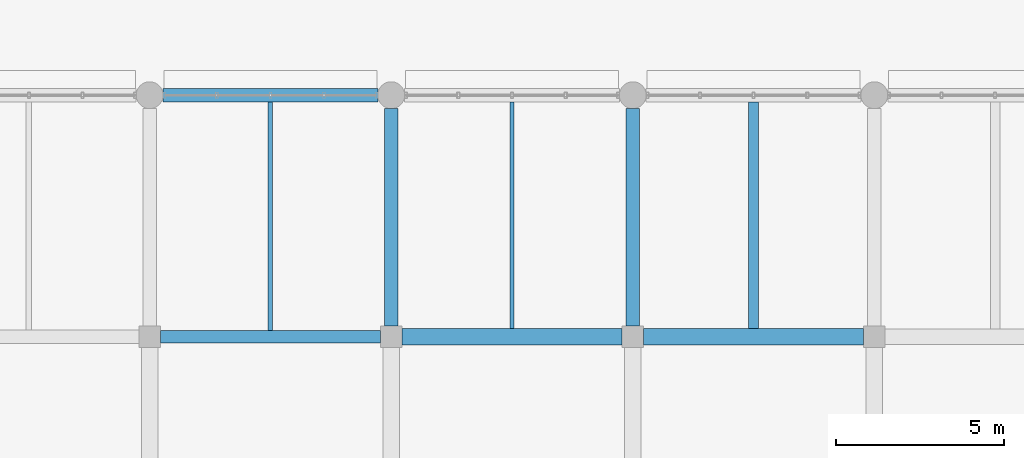
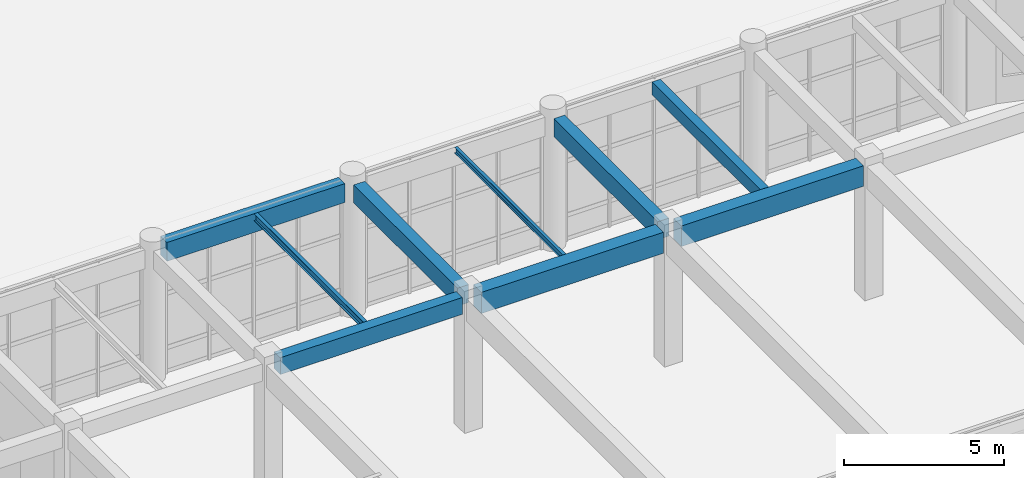
# One storey, part 68 of 160: 9 beams.
"""IFC4 building model written with IfcOpenShell, lengths in metres."""

from ifc_helpers import new_model, si_unit, direction, frame, origin, origin_2d, place, context, subcontext, project, spatial, rectangle, i_section, extrude, material, material_profile, profile_set, type_object, element, save


model = new_model("IFC4")

# Units and contexts
model_context = context("Model", 3, precision=1e-05, world=origin(), true_north=direction((0.0, 1.0)))
body_context = subcontext(model_context, "Body", "Model", "MODEL_VIEW")
ifc_project = project(units=[si_unit("LENGTHUNIT", "METRE"), si_unit("AREAUNIT", "SQUARE_METRE"), si_unit("VOLUMEUNIT", "CUBIC_METRE"), si_unit("PLANEANGLEUNIT", "RADIAN"), si_unit("MASSUNIT", "GRAM", prefix="KILO")], contexts=[model_context])

# Site, building, storey
site_placement = place(None, origin())
site = spatial("IfcSite", under=ifc_project, at=site_placement, CompositionType="ELEMENT")
building_placement = place(site_placement, origin())
building = spatial("IfcBuilding", under=site, at=building_placement, Name="Thalmaran Polytechnic", CompositionType="ELEMENT")
storey_placement = place(building_placement, origin())
storey = spatial("IfcBuildingStorey", under=building, at=storey_placement, Name="L00", CompositionType="ELEMENT", Elevation=0.0)

# Beams
ifc_material_1 = material(Name="Concrete C40/50", Category="concrete")
ifc_material_profile_1 = material_profile(ifc_material_1, rectangle(XDim=0.5, YDim=0.800048828125, at=origin_2d()), Name="RC 500x800")
ifc_profile_set_1 = profile_set([ifc_material_profile_1], Name="Concrete C40/50")
beam_type_1 = type_object("IfcBeamType", Name="BM-RC02", PredefinedType="BEAM", material=ifc_profile_set_1)
beam_1_placement = place(storey_placement, frame((65.125, 64.800048828125, 4.68994140625), z_axis=(1.0, 0.0, 0.0), x_axis=(0.0, 1.0, 0.0)))
element("IfcBeam", 1, at=beam_1_placement, inside=storey, type_object=beam_type_1, Name="Grid Beam B02 L00 X(9,9)", PredefinedType="BEAM", context=body_context, shape_type="SweptSolid", body=[
    extrude(rectangle(XDim=0.5, YDim=0.800048828125, at=origin_2d()), origin(), (0.0, 0.0, 1.0), 6.550048828125),
])
ifc_material_profile_2 = material_profile(ifc_material_1, rectangle(XDim=0.300048828125, YDim=0.5, at=origin_2d()), Name="RC 300x500")
ifc_profile_set_2 = profile_set([ifc_material_profile_2], Name="Concrete C40/50")
beam_type_2 = type_object("IfcBeamType", Name="BM-RC11", PredefinedType="JOIST", material=ifc_profile_set_2)
beam_2_placement = place(storey_placement, frame((75.60009765625, 65.0400390625, 4.840087890625), z_axis=(0.0, 1.0, 0.0), x_axis=(-1.0, 0.0, 0.0)))
element("IfcBeam", 2, at=beam_2_placement, inside=storey, type_object=beam_type_2, Name="Secondary Floor Rib RB01 L00 (10,9)", PredefinedType="JOIST", context=body_context, shape_type="SweptSolid", body=[
    extrude(rectangle(XDim=0.300048828125, YDim=0.5, at=origin_2d()), origin(), (0.0, 0.0, 1.0), 6.760009765625),
])
ifc_material_2 = material(Name="Steel S355", Category="steel")
ifc_material_profile_3 = material_profile(ifc_material_2, i_section(OverallWidth=0.135009765625, OverallDepth=0.27001953125, WebThickness=0.006591796875, FlangeThickness=0.01025390625, at=origin_2d()), Name="IPE 270")
ifc_profile_set_3 = profile_set([ifc_material_profile_3], Name="Steel S355")
beam_type_3 = type_object("IfcBeamType", Name="BM-SJ03", PredefinedType="JOIST", material=ifc_profile_set_3)
beam_3_placement = place(storey_placement, frame((61.199951171875, 64.989990234375, 4.955078125), z_axis=(0.0, 1.0, 0.0), x_axis=(-1.0, 0.0, 0.0)))
element("IfcBeam", 3, at=beam_3_placement, inside=storey, type_object=beam_type_3, Name="Secondary Floor Rib SJ03 L00 (8,9)", PredefinedType="JOIST", context=body_context, shape_type="SweptSolid", body=[
    extrude(i_section(OverallWidth=0.135009765625, OverallDepth=0.27001953125, WebThickness=0.006591796875, FlangeThickness=0.01025390625, at=origin_2d()), origin(), (0.0, 0.0, 1.0), 6.81005859375),
])
ifc_material_profile_4 = material_profile(ifc_material_2, i_section(OverallWidth=0.110107421875, OverallDepth=0.219970703125, WebThickness=0.005859375, FlangeThickness=0.00927734375, at=origin_2d()), Name="IPE 220")
ifc_profile_set_4 = profile_set([ifc_material_profile_4], Name="Steel S355")
beam_type_4 = type_object("IfcBeamType", Name="BM-SJ04", PredefinedType="JOIST", material=ifc_profile_set_4)
beam_4_placement = place(storey_placement, frame((68.39990234375, 65.050048828125, 4.97998046875), z_axis=(0.0, 1.0, 0.0), x_axis=(-1.0, 0.0, 0.0)))
element("IfcBeam", 4, at=beam_4_placement, inside=storey, type_object=beam_type_4, Name="Secondary Floor Rib SJ04 L00 (9,9)", PredefinedType="JOIST", context=body_context, shape_type="SweptSolid", body=[
    extrude(i_section(OverallWidth=0.110107421875, OverallDepth=0.219970703125, WebThickness=0.005859375, FlangeThickness=0.00927734375, at=origin_2d()), origin(), (0.0, 0.0, 1.0), 6.75),
])
ifc_material_profile_5 = material_profile(ifc_material_1, rectangle(XDim=0.39990234375, YDim=0.719970703125, at=origin_2d()), Name="RC 400x720")
ifc_profile_set_5 = profile_set([ifc_material_profile_5], Name="Concrete C40/50")
beam_type_5 = type_object("IfcBeamType", Name="BM-SP01", PredefinedType="SPANDREL", material=ifc_profile_set_5)
beam_5_placement = place(storey_placement, frame((58.0, 72.0, 4.72998046875), z_axis=(1.0, 0.0, 0.0), x_axis=(0.0, 1.0, 0.0)))
element("IfcBeam", 5, at=beam_5_placement, inside=storey, type_object=beam_type_5, Name="Grid Beam SP01 L00 X(8,10)", PredefinedType="SPANDREL", context=body_context, shape_type="SweptSolid", body=[
    extrude(rectangle(XDim=0.39990234375, YDim=0.719970703125, at=origin_2d()), origin(), (0.0, 0.0, 1.0), 6.39990234375),
])
ifc_material_profile_6 = material_profile(ifc_material_1, rectangle(XDim=0.47998046875, YDim=0.780029296875, at=origin_2d()), Name="RC 480x780")
ifc_profile_set_6 = profile_set([ifc_material_profile_6], Name="Concrete C40/50")
beam_type_6 = type_object("IfcBeamType", Name="BM-ZB01", PredefinedType="BEAM", material=ifc_profile_set_6)
beam_6_placement = place(storey_placement, frame((72.324951171875, 64.800048828125, 4.699951171875), z_axis=(1.0, 0.0, 0.0), x_axis=(0.0, 1.0, 0.0)))
element("IfcBeam", 6, at=beam_6_placement, inside=storey, type_object=beam_type_6, Name="Grid Beam ZB01 L00 X(10,9)", PredefinedType="BEAM", context=body_context, shape_type="SweptSolid", body=[
    extrude(rectangle(XDim=0.47998046875, YDim=0.780029296875, at=origin_2d()), origin(), (0.0, 0.0, 1.0), 6.550048828125),
])
ifc_material_profile_7 = material_profile(ifc_material_1, rectangle(XDim=0.3798828125, YDim=0.639892578125, at=origin_2d()), Name="RC 380x640")
ifc_profile_set_7 = profile_set([ifc_material_profile_7], Name="Concrete C40/50")
beam_type_7 = type_object("IfcBeamType", Name="BM-ZB05", PredefinedType="BEAM", material=ifc_profile_set_7)
beam_7_placement = place(storey_placement, frame((57.925048828125, 64.800048828125, 4.77001953125), z_axis=(1.0, 0.0, 0.0), x_axis=(0.0, 1.0, 0.0)))
element("IfcBeam", 7, at=beam_7_placement, inside=storey, type_object=beam_type_7, Name="Grid Beam ZB05 L00 X(8,9)", PredefinedType="BEAM", context=body_context, shape_type="SweptSolid", body=[
    extrude(rectangle(XDim=0.3798828125, YDim=0.639892578125, at=origin_2d()), origin(), (0.0, 0.0, 1.0), 6.550048828125),
])
ifc_material_profile_8 = material_profile(ifc_material_1, rectangle(XDim=0.39990234375, YDim=0.68505859375, at=origin_2d()), Name="RC 400x685")
ifc_profile_set_8 = profile_set([ifc_material_profile_8], Name="Concrete C40/50")
beam_type_8 = type_object("IfcBeamType", Name="BM-ZB07", PredefinedType="BEAM", material=ifc_profile_set_8)
for number, where, z_axis, x_axis, name in (
    (8, (64.800048828125, 65.125, 4.74755859375), (0.0, 1.0, 0.0), (-1.0, 0.0, 0.0), "Grid Beam ZB07 L00 Y(9,9)"),
    (9, (72.0, 65.125, 4.74755859375), (0.0, 1.0, 0.0), (-1.0, 0.0, 0.0), "Grid Beam ZB07 L00 Y(10,9)"),
):
    element("IfcBeam", number, at=place(storey_placement, frame(where, z_axis=z_axis, x_axis=x_axis)), inside=storey, type_object=beam_type_8, Name=name, PredefinedType="BEAM", context=body_context, shape_type="SweptSolid", body=[
        extrude(rectangle(XDim=0.39990234375, YDim=0.68505859375, at=origin_2d()), origin(), (0.0, 0.0, 1.0), 6.47509765625),
    ])

save(model, "model.ifc")
